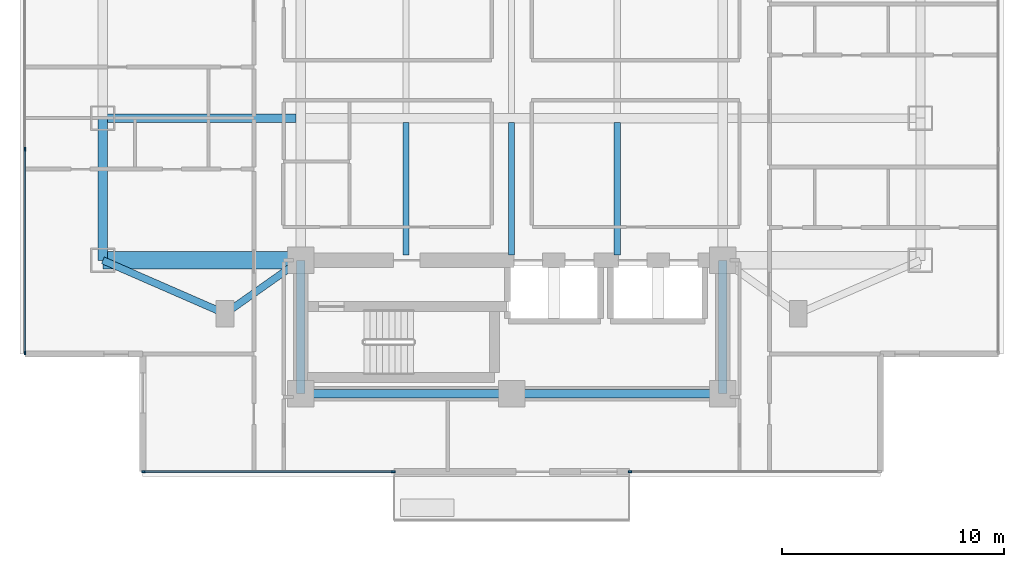
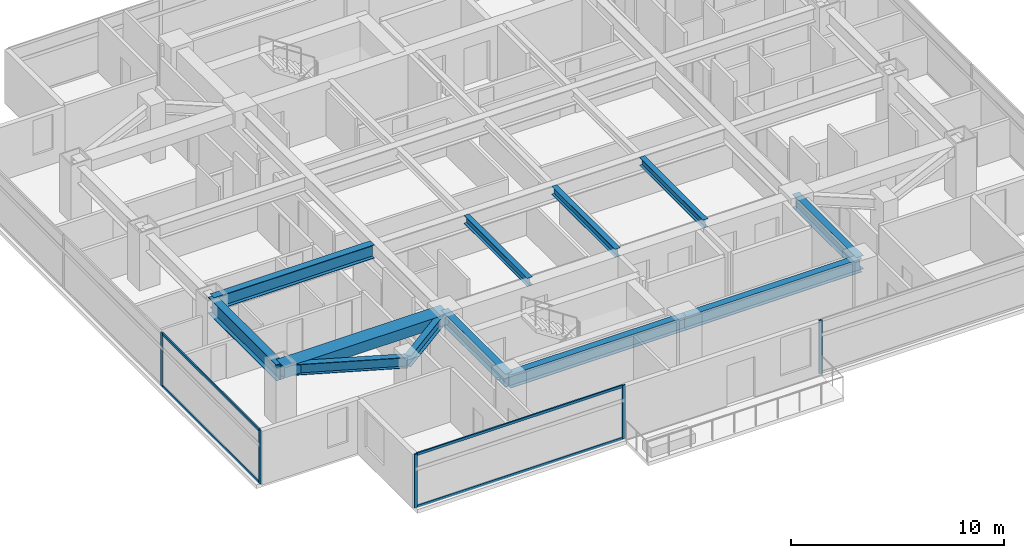
# One storey, part 2 of 26: 12 beams, 9 members, 3 elements without a shape of their own.
"""IFC4 building model written with IfcOpenShell, lengths in metres."""

from ifc_helpers import new_model, si_unit, direction, frame, origin, origin_2d, place, context, subcontext, project, spatial, rectangle, i_section, extrude, material, material_profile, profile_set, type_object, element, aggregate, save


model = new_model("IFC4")

# Units and contexts
model_context = context("Model", 3, precision=1e-05, world=origin(), true_north=direction((0.0, 1.0)))
body_context = subcontext(model_context, "Body", "Model", "MODEL_VIEW")
ifc_project = project(units=[si_unit("LENGTHUNIT", "METRE"), si_unit("AREAUNIT", "SQUARE_METRE"), si_unit("VOLUMEUNIT", "CUBIC_METRE"), si_unit("PLANEANGLEUNIT", "RADIAN"), si_unit("MASSUNIT", "GRAM", prefix="KILO")], contexts=[model_context])

# Site, building, storey
site_placement = place(None, origin())
site = spatial("IfcSite", under=ifc_project, at=site_placement, CompositionType="ELEMENT")
building_placement = place(site_placement, origin())
building = spatial("IfcBuilding", under=site, at=building_placement, Name="Mirazonda Arch Towers", CompositionType="ELEMENT")
storey_placement = place(building_placement, frame((0.0, 0.0, 108.199951171875)))
storey = spatial("IfcBuildingStorey", under=building, at=storey_placement, Name="L30", CompositionType="ELEMENT", Elevation=108.199951171875)

# Beams
ifc_material_1 = material(Name="Steel ASTM A992 Grade 50", Category="steel")
ifc_material_profile_1 = material_profile(ifc_material_1, i_section(OverallWidth=0.41796875, OverallDepth=0.927001953125, WebThickness=0.019287109375, FlangeThickness=0.031982421875, at=origin_2d()), Name="W36X231")
ifc_profile_set_1 = profile_set([ifc_material_profile_1], Name="Steel ASTM A992 Grade 50")
beam_type_1 = type_object("IfcBeamType", Name="BM-EXT-W36X231", PredefinedType="USERDEFINED", material=ifc_profile_set_1)
beam_1_placement = place(storey_placement, frame((2.10009765625, 18.39990234375, 2.616455078125), z_axis=(0.0, 1.0, 0.0), x_axis=(-1.0, 0.0, 0.0)))
element("IfcBeam", 1, at=beam_1_placement, inside=storey, type_object=beam_type_1, Name="L30 Floor Beam BM-T1-L30-NS-W-18", ObjectType="GIRDER", PredefinedType="USERDEFINED", context=body_context, shape_type="SweptSolid", body=[
    extrude(i_section(OverallWidth=0.41796875, OverallDepth=0.927001953125, WebThickness=0.019287109375, FlangeThickness=0.031982421875, at=origin_2d()), origin(), (0.0, 0.0, 1.0), 6.400146484375),
])
ifc_material_profile_2 = material_profile(ifc_material_1, i_section(OverallWidth=0.280029296875, OverallDepth=0.462890625, WebThickness=0.0107421875, FlangeThickness=0.017333984375, at=origin_2d()), Name="W18X76")
ifc_profile_set_2 = profile_set([ifc_material_profile_2], Name="Steel ASTM A992 Grade 50")
beam_type_2 = type_object("IfcBeamType", Name="BM-INT-W18X76", PredefinedType="JOIST", material=ifc_profile_set_2)
for number, where, z_axis, x_axis, name in (
    (2, (15.75, 18.639892578125, 2.8486328125), (0.0, 1.0, 0.0), (-1.0, 0.0, 0.0), "L30 Floor Beam BM-T1-L30-J-157-18"),
    (3, (20.5, 18.639892578125, 2.8486328125), (0.0, 1.0, 0.0), (-1.0, 0.0, 0.0), "L30 Floor Beam BM-T1-L30-J-205-18"),
    (4, (25.25, 18.639892578125, 2.8486328125), (0.0, 1.0, 0.0), (-1.0, 0.0, 0.0), "L30 Floor Beam BM-T1-L30-J-252-18"),
):
    element("IfcBeam", number, at=place(storey_placement, frame(where, z_axis=z_axis, x_axis=x_axis)), inside=storey, type_object=beam_type_2, Name=name, PredefinedType="JOIST", context=body_context, shape_type="SweptSolid", body=[
        extrude(i_section(OverallWidth=0.280029296875, OverallDepth=0.462890625, WebThickness=0.0107421875, FlangeThickness=0.017333984375, at=origin_2d()), origin(), (0.0, 0.0, 1.0), 5.95263671875),
    ])
ifc_material_profile_3 = material_profile(ifc_material_1, i_section(OverallWidth=0.324951171875, OverallDepth=0.615966796875, WebThickness=0.013916015625, FlangeThickness=0.021484375, at=origin_2d()), Name="W24X117")
ifc_profile_set_3 = profile_set([ifc_material_profile_3], Name="Steel ASTM A992 Grade 50")
beam_type_3 = type_object("IfcBeamType", Name="BM-INT-W24X117", PredefinedType="BEAM", material=ifc_profile_set_3)
beam_2_placement = place(storey_placement, frame((7.60009765625, 16.0, 2.77197265625), z_axis=(0.816971114901, 0.576678591087, 0.0), x_axis=(-0.576678591087, 0.816971114901, 0.0)))
element("IfcBeam", 5, at=beam_2_placement, inside=storey, type_object=beam_type_3, Name="L30 Floor Beam BM-T1-L30-PL-SW1", PredefinedType="BEAM", context=body_context, shape_type="SweptSolid", body=[
    extrude(i_section(OverallWidth=0.324951171875, OverallDepth=0.615966796875, WebThickness=0.013916015625, FlangeThickness=0.021484375, at=origin_2d()), origin(), (0.0, 0.0, 1.0), 4.16162109375),
])
beam_3_placement = place(storey_placement, frame((7.60009765625, 16.0, 2.77197265625), z_axis=(-0.916545343703, 0.399930785183, 0.0), x_axis=(-0.399930785183, -0.916545343703, 0.0)))
element("IfcBeam", 6, at=beam_3_placement, inside=storey, type_object=beam_type_3, Name="L30 Floor Beam BM-T1-L30-PL-SW2", PredefinedType="BEAM", context=body_context, shape_type="SweptSolid", body=[
    extrude(i_section(OverallWidth=0.324951171875, OverallDepth=0.615966796875, WebThickness=0.013916015625, FlangeThickness=0.021484375, at=origin_2d()), origin(), (0.0, 0.0, 1.0), 6.000732421875),
])
ifc_material_profile_4 = material_profile(ifc_material_1, i_section(OverallWidth=0.381103515625, OverallDepth=0.77294921875, WebThickness=0.0166015625, FlangeThickness=0.027099609375, at=origin_2d()), Name="W30X173")
ifc_profile_set_4 = profile_set([ifc_material_profile_4], Name="Steel ASTM A992 Grade 50")
beam_type_4 = type_object("IfcBeamType", Name="BM-INT-W30X173", PredefinedType="USERDEFINED", material=ifc_profile_set_4)
beam_4_placement = place(storey_placement, frame((2.10009765625, 24.800048828125, 2.693603515625), z_axis=(1.0, 0.0, 0.0), x_axis=(0.0, 1.0, 0.0)))
element("IfcBeam", 7, at=beam_4_placement, inside=storey, type_object=beam_type_4, Name="L30 Floor Beam BM-T1-L30-GW2", ObjectType="GIRDER", PredefinedType="USERDEFINED", context=body_context, shape_type="SweptSolid", body=[
    extrude(i_section(OverallWidth=0.381103515625, OverallDepth=0.77294921875, WebThickness=0.0166015625, FlangeThickness=0.027099609375, at=origin_2d()), origin(), (0.0, 0.0, 1.0), 8.6884765625),
])
for number, where, z_axis, x_axis, name in (
    (8, (11.0, 12.39990234375, 2.693603515625), (1.0, 0.0, 0.0), (0.0, 1.0, 0.0), "L30 Floor Beam BM-T1-L30-CS1"),
    (9, (20.5, 12.39990234375, 2.693603515625), (1.0, 0.0, 0.0), (0.0, 1.0, 0.0), "L30 Floor Beam BM-T1-L30-CS2"),
):
    element("IfcBeam", number, at=place(storey_placement, frame(where, z_axis=z_axis, x_axis=x_axis)), inside=storey, type_object=beam_type_4, Name=name, ObjectType="GIRDER", PredefinedType="USERDEFINED", context=body_context, shape_type="SweptSolid", body=[
        extrude(i_section(OverallWidth=0.381103515625, OverallDepth=0.77294921875, WebThickness=0.0166015625, FlangeThickness=0.027099609375, at=origin_2d()), origin(), (0.0, 0.0, 1.0), 9.5),
    ])
for number, where, z_axis, x_axis, name in (
    (10, (11.0, 12.39990234375, 2.693603515625), (0.0, 1.0, 0.0), (-1.0, 0.0, 0.0), "L30 Floor Beam BM-T1-L30-CSW"),
    (11, (30.0, 12.39990234375, 2.693603515625), (0.0, 1.0, 0.0), (-1.0, 0.0, 0.0), "L30 Floor Beam BM-T1-L30-CSE"),
):
    element("IfcBeam", number, at=place(storey_placement, frame(where, z_axis=z_axis, x_axis=x_axis)), inside=storey, type_object=beam_type_4, Name=name, ObjectType="GIRDER", PredefinedType="USERDEFINED", context=body_context, shape_type="SweptSolid", body=[
        extrude(i_section(OverallWidth=0.381103515625, OverallDepth=0.77294921875, WebThickness=0.0166015625, FlangeThickness=0.027099609375, at=origin_2d()), origin(), (0.0, 0.0, 1.0), 6.0),
    ])
ifc_material_2 = material(Name="Concrete C60/75", Category="concrete")
ifc_material_profile_5 = material_profile(ifc_material_2, rectangle(XDim=0.800048828125, YDim=0.60009765625, at=origin_2d()), Name="RCCB800x600")
ifc_profile_set_5 = profile_set([ifc_material_profile_5], Name="Concrete C60/75")
beam_type_5 = type_object("IfcBeamType", Name="CB-INT-RCCB800x600", PredefinedType="SPANDREL", material=ifc_profile_set_5)
beam_5_placement = place(storey_placement, frame((2.10009765625, 18.39990234375, 2.780029296875), z_axis=(1.0, 0.0, 0.0), x_axis=(0.0, 1.0, 0.0)))
element("IfcBeam", 12, at=beam_5_placement, inside=storey, type_object=beam_type_5, Name="L30 Floor Beam CBC-T1-L30-SW", PredefinedType="SPANDREL", context=body_context, shape_type="SweptSolid", body=[
    extrude(rectangle(XDim=0.800048828125, YDim=0.60009765625, at=origin_2d()), origin(), (0.0, 0.0, 1.0), 8.89990234375),
])

# Curtain wall, member
ifc_material_3 = material(Name="Anodised Aluminium and Low-E Glass", Category="aluminium")
curtain_wall_type = type_object("IfcCurtainWallType", Name="CW-HTL-UNIT", PredefinedType="NOTDEFINED", material=ifc_material_3)
curtain_wall_1_placement = place(storey_placement, origin())
curtain_wall_1 = element("IfcCurtainWall", 13, at=curtain_wall_1_placement, inside=storey, type_object=curtain_wall_type, Name="L30 Curtain Wall CW-L30-T1-SA", PredefinedType="NOTDEFINED")
ifc_material_4 = material(Name="Anodised Aluminium Alloy", Category="aluminium")
ifc_material_profile_6 = material_profile(ifc_material_4, rectangle(XDim=0.074951171875, YDim=0.1650390625, at=origin_2d()), Name="ALU-MULL-75x165")
ifc_profile_set_6 = profile_set([ifc_material_profile_6], Name="Anodised Aluminium Alloy")
member_type_1 = type_object("IfcMemberType", Name="MULL-CW-HTL-UNIT", PredefinedType="MULLION", material=ifc_profile_set_6)
member_1_placement = place(storey_placement, frame((25.827392578125, 8.882080078125, 0.0), z_axis=(0.0, 0.0, 1.0), x_axis=(0.0, -1.0, 0.0)))
member_1 = element("IfcMember", 14, at=member_1_placement, type_object=member_type_1, Name="CW-112 mullion 2", PredefinedType="MULLION", context=body_context, shape_type="SweptSolid", body=[
    extrude(rectangle(XDim=0.074951171875, YDim=0.1650390625, at=origin_2d()), origin(), (0.0, 0.0, 1.0), 3.06005859375),
])
aggregate(curtain_wall_1, [member_1])

# Curtain wall, members
curtain_wall_2_placement = place(storey_placement, origin())
curtain_wall_2 = element("IfcCurtainWall", 15, at=curtain_wall_2_placement, inside=storey, type_object=curtain_wall_type, Name="L30 Curtain Wall CW-L30-T1-SB", PredefinedType="NOTDEFINED")
member_2_placement = place(storey_placement, frame((15.172607421875, 8.882080078125, 0.0), z_axis=(0.0, 0.0, 1.0), x_axis=(0.0, -1.0, 0.0)))
member_2 = element("IfcMember", 16, at=member_2_placement, type_object=member_type_1, Name="CW-112 mullion 1", PredefinedType="MULLION", context=body_context, shape_type="SweptSolid", body=[
    extrude(rectangle(XDim=0.074951171875, YDim=0.1650390625, at=origin_2d()), origin(), (0.0, 0.0, 1.0), 3.06005859375),
])
member_3_placement = place(storey_placement, frame((3.9326171875, 8.882080078125, 0.0), z_axis=(0.0, 0.0, 1.0), x_axis=(0.0, -1.0, 0.0)))
member_3 = element("IfcMember", 17, at=member_3_placement, type_object=member_type_1, Name="CW-112 mullion 2", PredefinedType="MULLION", context=body_context, shape_type="SweptSolid", body=[
    extrude(rectangle(XDim=0.074951171875, YDim=0.1650390625, at=origin_2d()), origin(), (0.0, 0.0, 1.0), 3.06005859375),
])

curtain_wall_3_placement = place(storey_placement, origin())
curtain_wall_3 = element("IfcCurtainWall", 18, at=curtain_wall_3_placement, inside=storey, type_object=curtain_wall_type, Name="L30 T1 W Facade CW-L30-T1-W", PredefinedType="NOTDEFINED")
member_4_placement = place(storey_placement, frame((-1.409912109375, 23.395751953125, 0.0), z_axis=(0.0, 0.0, 1.0), x_axis=(1.0, 0.0, 0.0)))
member_4 = element("IfcMember", 19, at=member_4_placement, type_object=member_type_1, Name="CW-112 mullion 3", PredefinedType="MULLION", context=body_context, shape_type="SweptSolid", body=[
    extrude(rectangle(XDim=0.074951171875, YDim=0.1650390625, at=origin_2d()), origin(), (0.0, 0.0, 1.0), 3.06005859375),
])
member_5_placement = place(storey_placement, frame((-1.409912109375, 14.224609375, 0.0), z_axis=(0.0, 0.0, 1.0), x_axis=(1.0, 0.0, 0.0)))
member_5 = element("IfcMember", 20, at=member_5_placement, type_object=member_type_1, Name="CW-112 mullion 4", PredefinedType="MULLION", context=body_context, shape_type="SweptSolid", body=[
    extrude(rectangle(XDim=0.074951171875, YDim=0.1650390625, at=origin_2d()), origin(), (0.0, 0.0, 1.0), 3.06005859375),
])

# Member
ifc_material_profile_7 = material_profile(ifc_material_4, rectangle(XDim=0.074951171875, YDim=0.14501953125, at=origin_2d()), Name="ALU-TRAN-75x145")
ifc_profile_set_7 = profile_set([ifc_material_profile_7], Name="Anodised Aluminium Alloy")
member_type_2 = type_object("IfcMemberType", Name="TRAN-CW-HTL-UNIT", PredefinedType="USERDEFINED", material=ifc_profile_set_7)
member_6_placement = place(storey_placement, frame((15.135009765625, 8.882080078125, 0.03759765625), z_axis=(-1.0, 0.0, 0.0), x_axis=(0.0, -1.0, 0.0)))
member_6 = element("IfcMember", 21, at=member_6_placement, type_object=member_type_2, Name="CW-112 transom 1.1", ObjectType="TRANSOM", PredefinedType="USERDEFINED", context=body_context, shape_type="SweptSolid", body=[
    extrude(rectangle(XDim=0.074951171875, YDim=0.14501953125, at=origin_2d()), origin(), (0.0, 0.0, 1.0), 11.1650390625),
])

member_7_placement = place(storey_placement, frame((15.135009765625, 8.882080078125, 3.0224609375), z_axis=(-1.0, 0.0, 0.0), x_axis=(0.0, -1.0, 0.0)))
member_7 = element("IfcMember", 22, at=member_7_placement, type_object=member_type_2, Name="CW-112 transom 1.2", ObjectType="TRANSOM", PredefinedType="USERDEFINED", context=body_context, shape_type="SweptSolid", body=[
    extrude(rectangle(XDim=0.074951171875, YDim=0.14501953125, at=origin_2d()), origin(), (0.0, 0.0, 1.0), 11.1650390625),
])

aggregate(curtain_wall_2, [member_2, member_3, member_6, member_7])

member_8_placement = place(storey_placement, frame((-1.409912109375, 23.358154296875, 0.03759765625), z_axis=(0.0, -1.0, 0.0), x_axis=(1.0, 0.0, 0.0)))
member_8 = element("IfcMember", 23, at=member_8_placement, type_object=member_type_2, Name="CW-112 transom 3.1", ObjectType="TRANSOM", PredefinedType="USERDEFINED", context=body_context, shape_type="SweptSolid", body=[
    extrude(rectangle(XDim=0.074951171875, YDim=0.14501953125, at=origin_2d()), origin(), (0.0, 0.0, 1.0), 9.09619140625),
])

member_9_placement = place(storey_placement, frame((-1.409912109375, 23.358154296875, 3.0224609375), z_axis=(0.0, -1.0, 0.0), x_axis=(1.0, 0.0, 0.0)))
member_9 = element("IfcMember", 24, at=member_9_placement, type_object=member_type_2, Name="CW-112 transom 3.2", ObjectType="TRANSOM", PredefinedType="USERDEFINED", context=body_context, shape_type="SweptSolid", body=[
    extrude(rectangle(XDim=0.074951171875, YDim=0.14501953125, at=origin_2d()), origin(), (0.0, 0.0, 1.0), 9.09619140625),
])

aggregate(curtain_wall_3, [member_4, member_5, member_8, member_9])

save(model, "model.ifc")
